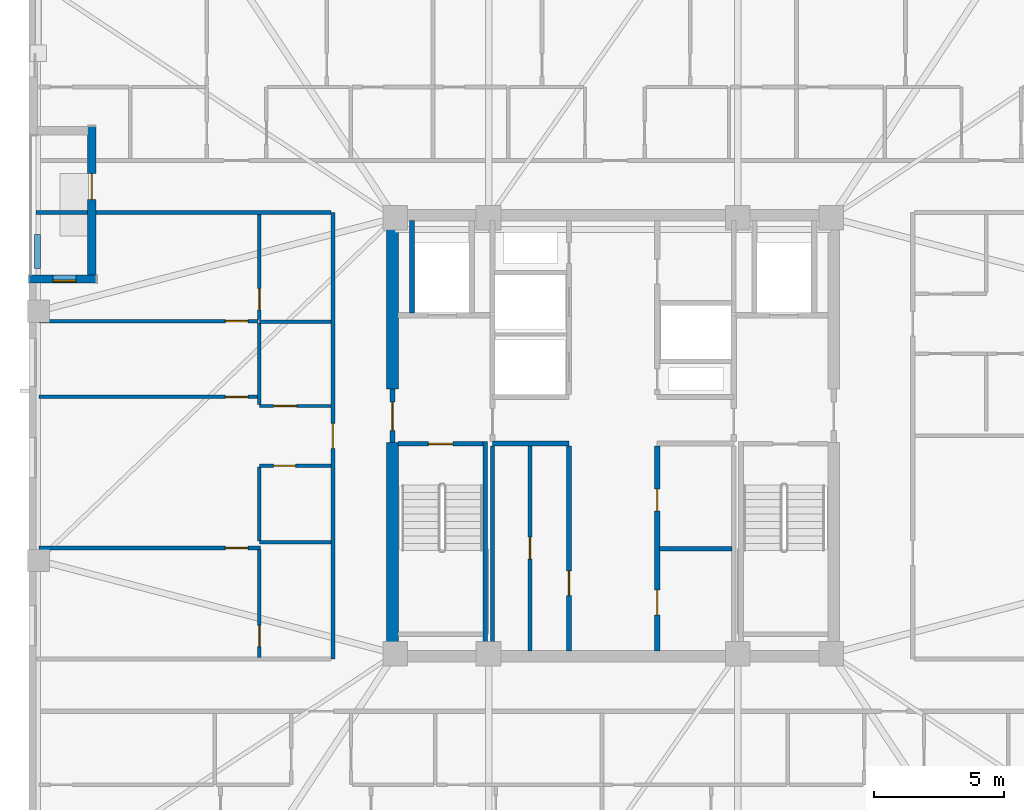
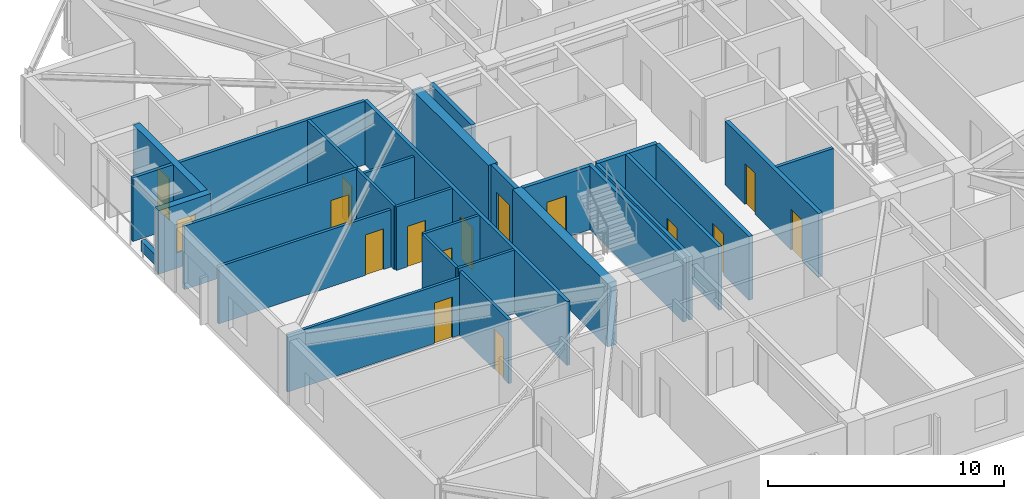
# One storey, part 8 of 17: 28 walls, 15 doors, 1 window, 16 openings.
"""IFC4 building model written with IfcOpenShell, lengths in metres."""

import ifcopenshell
import ifcopenshell.guid

model = None  # the IFC model being written
_history = None  # IfcOwnerHistory: only IFC2X3 demands one
_inside = {}  # id of a spatial element -> (the spatial element, [elements in it])
_under = {}  # id of a project, library or spatial element -> (it, [spatial elements below it])
_declared = {}  # id of a project -> (the project, [libraries it declares])
_typed = {}  # id of a type object -> (the type object, [elements of that type])
_made_of = {}  # id of a material, layer set ... -> (it, [elements and type objects made of it])


def new_model(schema):
    """Start an empty IFC model of exactly this schema.

    Asked for "IFC4X3", IfcOpenShell would pick the latest addendum, in which some entities
    have other attributes; the version numbers below select the first issue.
    IFC2X3 requires an IfcOwnerHistory on every rooted entity: one is made here for all.
    """
    global model, _history
    if schema == "IFC4X3":
        model = ifcopenshell.file(schema_version=(4, 3, 0, 0))
    else:
        model = ifcopenshell.file(schema=schema)
    _inside.clear()
    _under.clear()
    _declared.clear()
    _typed.clear()
    _made_of.clear()
    _history = None
    if model.schema == "IFC2X3":
        org = make("IfcOrganization", Name="unknown")
        user = make(
            "IfcPersonAndOrganization",
            ThePerson=make("IfcPerson", FamilyName="unknown"),
            TheOrganization=org,
        )
        app = make(
            "IfcApplication",
            ApplicationDeveloper=org,
            Version="unknown",
            ApplicationFullName="unknown",
            ApplicationIdentifier="unknown",
        )
        _history = make(
            "IfcOwnerHistory",
            OwningUser=user,
            OwningApplication=app,
            ChangeAction="ADDED",
            CreationDate=0,
        )
    return model


def make(cls, **values):
    """One entity of the class cls with the attributes given. An attribute that is None is left unset."""
    return model.create_entity(
        cls, **{name: value for name, value in values.items() if value is not None}
    )


def rooted(cls, **values):
    """An entity with a GlobalId (a new one), such as an element, a storey or a relation."""
    return make(cls, GlobalId=ifcopenshell.guid.new(), OwnerHistory=_history, **values)


def si_unit(unit_type, name, prefix=None):
    """IfcSIUnit, for example si_unit("LENGTHUNIT", "METRE", prefix="MILLI")."""
    return make("IfcSIUnit", UnitType=unit_type, Prefix=prefix, Name=name)


def assignment(units):
    """IfcUnitAssignment: the units of a project."""
    return None if units is None else make("IfcUnitAssignment", Units=units)


def point(xyz):
    """IfcCartesianPoint."""
    return None if xyz is None else make("IfcCartesianPoint", Coordinates=xyz)


def direction(xyz):
    """IfcDirection."""
    return None if xyz is None else make("IfcDirection", DirectionRatios=xyz)


def frame(location, z_axis=None, x_axis=None):
    """IfcAxis2Placement3D, a coordinate frame: its origin and axes. An axis left out is left unset."""
    return make(
        "IfcAxis2Placement3D",
        Location=point(location),
        Axis=direction(z_axis),
        RefDirection=direction(x_axis),
    )


def frame_2d(location, x_axis=None):
    """IfcAxis2Placement2D, a coordinate frame in the plane: its origin and x axis."""
    return make(
        "IfcAxis2Placement2D", Location=point(location), RefDirection=direction(x_axis)
    )


def origin():
    """The frame at (0, 0, 0) with its axes left unset."""
    return frame((0.0, 0.0, 0.0))


def place(relative_to, where):
    """IfcLocalPlacement: puts the frame where relative to a parent placement (None: the world)."""
    return make(
        "IfcLocalPlacement", PlacementRelTo=relative_to, RelativePlacement=where
    )


def context(
    kind, dimensions, precision=None, world=None, true_north=None, identifier=None
):
    """IfcGeometricRepresentationContext, for example the 3D "Model" context."""
    return make(
        "IfcGeometricRepresentationContext",
        ContextIdentifier=identifier,
        ContextType=kind,
        CoordinateSpaceDimension=dimensions,
        Precision=precision,
        WorldCoordinateSystem=world,
        TrueNorth=true_north,
    )


def subcontext(parent, identifier, kind, view, scale=None):
    """IfcGeometricRepresentationSubContext, for example "Body" below "Model"."""
    return make(
        "IfcGeometricRepresentationSubContext",
        ContextIdentifier=identifier,
        ContextType=kind,
        ParentContext=parent,
        TargetScale=scale,
        TargetView=view,
    )


def project(units=None, contexts=None):
    """IfcProject with its units and contexts."""
    return rooted(
        "IfcProject",
        Name="project",
        RepresentationContexts=contexts,
        UnitsInContext=assignment(units),
    )


def spatial(cls, under=None, at=None, **own):
    """A site, building, storey or space (cls), placed at a placement, below another one or the project."""
    s = rooted(cls, ObjectPlacement=at, **own)
    if under is not None:
        _under.setdefault(under.id(), (under, []))[1].append(s)
    return s


def profile(cls, at=None, kind="AREA", **sizes):
    """A parametric profile (cls). Its sizes go by their IFC names, for example OverallWidth=200.0."""
    return make(cls, ProfileType=kind, Position=at, **sizes)


def rectangle(**sizes):
    """IfcRectangleProfileDef."""
    return profile("IfcRectangleProfileDef", **sizes)


def extrude(swept, where, along, depth):
    """IfcExtrudedAreaSolid: the profile swept, set in the frame where, extruded along a direction by depth."""
    return make(
        "IfcExtrudedAreaSolid",
        SweptArea=swept,
        Position=where,
        ExtrudedDirection=direction(along),
        Depth=depth,
    )


def shape(context_of_items, identifier, shape_type, items):
    """IfcShapeRepresentation: the items that make up one representation, for example the "Body"."""
    return make(
        "IfcShapeRepresentation",
        ContextOfItems=context_of_items,
        RepresentationIdentifier=identifier,
        RepresentationType=shape_type,
        Items=items,
    )


def material(Name=None, Category=None):
    """IfcMaterial."""
    return make("IfcMaterial", Name=Name, Category=Category)


def layer(
    of_material, thickness, ventilated=None, Name=None, Category=None, Priority=None
):
    """IfcMaterialLayer: one layer of a wall or slab, of a material (None: an air gap)."""
    return make(
        "IfcMaterialLayer",
        Material=of_material,
        LayerThickness=thickness,
        IsVentilated=ventilated,
        Name=Name,
        Category=Category,
        Priority=Priority,
    )


def layer_set(layers, Name=None):
    """IfcMaterialLayerSet."""
    return make("IfcMaterialLayerSet", MaterialLayers=layers, LayerSetName=Name)


def made_of(thing, what):
    """Note that an element or type object is made of a material, layer set ...; save() writes the relation."""
    if what is not None:
        _made_of.setdefault(what.id(), (what, []))[1].append(thing)
    return thing


def type_object(cls, material=None, **own):
    """A type object (cls), such as IfcWallType, which elements share."""
    return made_of(rooted(cls, **own), material)


def element(
    cls,
    number,
    at=None,
    inside=None,
    cuts=None,
    type_object=None,
    material=None,
    context=None,
    identifier="Body",
    shape_type=None,
    held_by="IfcProductDefinitionShape",
    body=None,
    shapes=None,
    **own,
):
    """One element of the class cls, such as IfcWall. Its Tag is "e" and its number.

    at: its placement. inside: the storey or other place that contains it. cuts: it is an
    opening in that element (IfcRelVoidsElement). A single representation is given by context,
    identifier, shape_type and body (its items); several are given by shapes. held_by: the class
    of the entity that holds the representations. save() writes the other relations.
    """
    e = rooted(cls, Tag="e%d" % number, ObjectPlacement=at, **own)
    if body is not None:
        shapes = [shape(context, identifier, shape_type, body)]
    if shapes is not None:
        e.Representation = make(held_by, Representations=shapes)
    if inside is not None:
        _inside.setdefault(inside.id(), (inside, []))[1].append(e)
    if cuts is not None:
        rooted(
            "IfcRelVoidsElement", RelatingBuildingElement=cuts, RelatedOpeningElement=e
        )
    if type_object is not None:
        _typed.setdefault(type_object.id(), (type_object, []))[1].append(e)
    return made_of(e, material)


def fill(opening, filler):
    """IfcRelFillsElement: the door or window that sits in an opening."""
    return rooted(
        "IfcRelFillsElement",
        RelatingOpeningElement=opening,
        RelatedBuildingElement=filler,
    )


def aggregate(whole, parts):
    """IfcRelAggregates: a whole, such as a stair, and the parts it consists of."""
    return rooted("IfcRelAggregates", RelatingObject=whole, RelatedObjects=parts)


def save(model, path):
    """Write the relations noted so far, then the file.

    IfcRelAggregates (storeys below a building ...), IfcRelContainedInSpatialStructure (elements
    in a storey), IfcRelDefinesByType, IfcRelAssociatesMaterial and IfcRelDeclares: one each for
    every whole, place, type object, material and project.
    """
    for whole, parts in _under.values():
        aggregate(whole, parts)
    for where, things in _inside.values():
        rooted(
            "IfcRelContainedInSpatialStructure",
            RelatedElements=things,
            RelatingStructure=where,
        )
    for kind, things in _typed.values():
        rooted("IfcRelDefinesByType", RelatedObjects=things, RelatingType=kind)
    for what, things in _made_of.values():
        rooted("IfcRelAssociatesMaterial", RelatedObjects=things, RelatingMaterial=what)
    for by, libraries in _declared.values():
        rooted("IfcRelDeclares", RelatingContext=by, RelatedDefinitions=libraries)
    model.write(path)


model = new_model("IFC4")

# Units and contexts
model_context = context("Model", 3, precision=1e-05, world=origin(), true_north=direction((0.0, 1.0)))
body_context = subcontext(model_context, "Body", "Model", "MODEL_VIEW")
ifc_project = project(units=[si_unit("LENGTHUNIT", "METRE"), si_unit("AREAUNIT", "SQUARE_METRE"), si_unit("VOLUMEUNIT", "CUBIC_METRE"), si_unit("PLANEANGLEUNIT", "RADIAN"), si_unit("MASSUNIT", "GRAM", prefix="KILO")], contexts=[model_context])

# Site, building, storey
site_placement = place(None, origin())
site = spatial("IfcSite", under=ifc_project, at=site_placement, CompositionType="ELEMENT")
building_placement = place(site_placement, origin())
building = spatial("IfcBuilding", under=site, at=building_placement, Name="Cairnveth Concourse Tower", CompositionType="ELEMENT")
storey_placement = place(building_placement, frame((0.0, 0.0, 230.5)))
storey = spatial("IfcBuildingStorey", under=building, at=storey_placement, Name="L63", CompositionType="ELEMENT", Elevation=230.5)

# Wall
ifc_material_1 = material(Name="Gypsum Plasterboard Partition", Category="gypsum")
ifc_layer_1 = layer(ifc_material_1, 0.159912109375)
ifc_layer_set_1 = layer_set([ifc_layer_1], Name="Gypsum Plasterboard Partition")
wall_type_1 = type_object("IfcWallType", Name="ACOUSTIC PARTY WALL 180", PredefinedType="PARTITIONING", material=ifc_layer_set_1)
wall_1_placement = place(storey_placement, frame((47.35009765625, 30.7099609375, 0.0), z_axis=(0.0, 0.0, 1.0), x_axis=(0.0, 1.0, 0.0)))
element("IfcWall", 1, at=wall_1_placement, inside=storey, type_object=wall_type_1, Name="Interior Wall IW-L63-025", PredefinedType="PARTITIONING", context=body_context, shape_type="SweptSolid", body=[
    extrude(rectangle(XDim=7.905029296875, YDim=0.159912109375, at=frame_2d((3.95263671875, 0.0))), origin(), (0.0, 0.0, 1.0), 3.2900390625),
])

# Wall, opening, door
wall_2_placement = place(storey_placement, frame((48.800048828125, 30.7099609375, 0.0), z_axis=(0.0, 0.0, 1.0), x_axis=(0.0, 1.0, 0.0)))
wall_2 = element("IfcWall", 2, at=wall_2_placement, inside=storey, type_object=wall_type_1, Name="Interior Wall IW-L63-026", PredefinedType="PARTITIONING", context=body_context, shape_type="SweptSolid", body=[
    extrude(rectangle(XDim=7.905029296875, YDim=0.159912109375, at=frame_2d((3.95263671875, 0.0))), origin(), (0.0, 0.0, 1.0), 3.2900390625),
])
opening_1_placement = place(wall_2_placement, frame((3.5400390625, 0.0, 0.0)))
opening_1 = element("IfcOpeningElement", 3, at=opening_1_placement, cuts=wall_2, Name="Opening ID19", PredefinedType="OPENING", context=body_context, shape_type="SweptSolid", body=[
    extrude(rectangle(XDim=0.85009765625, YDim=2.1201171875, at=frame_2d((0.425048828125, 1.06005859375))), frame((0.0, 0.08984375, 0.0), z_axis=(0.0, -1.0, 0.0), x_axis=(1.0, 0.0, 0.0)), (0.0, 0.0, 1.0), 0.179931640625),
])
ifc_material_2 = material(Name="Steel Grade 350", Category="steel")
door_type_1 = type_object("IfcDoorType", Name="CORE SERVICE DOOR 850X2100", OperationType="NOTDEFINED", PredefinedType="DOOR", material=ifc_material_2)
door_1_placement = place(opening_1_placement, origin())
door_1 = element("IfcDoor", 4, at=door_1_placement, inside=storey, type_object=door_type_1, Name="Inner Store Door L63", OperationType="SINGLE_SWING_RIGHT", OverallHeight=2.1201171875, OverallWidth=0.85009765625, PredefinedType="DOOR", context=body_context, shape_type="SweptSolid", body=[
    extrude(rectangle(XDim=0.85009765625, YDim=2.1201171875, at=frame_2d((0.425048828125, 1.06005859375))), frame((0.0, 0.02490234375, 0.0), z_axis=(0.0, -1.0, 0.0), x_axis=(1.0, 0.0, 0.0)), (0.0, 0.0, 1.0), 0.050048828125),
])
fill(opening_1, door_1)

# Wall
wall_3_placement = place(storey_placement, frame((53.784912109375, 34.64990234375, 0.0), z_axis=(0.0, 0.0, 1.0), x_axis=(1.0, 0.0, 0.0)))
element("IfcWall", 5, at=wall_3_placement, inside=storey, type_object=wall_type_1, Name="Interior Wall IW-L63-028", PredefinedType="PARTITIONING", context=body_context, shape_type="SweptSolid", body=[
    extrude(rectangle(XDim=2.800048828125, YDim=0.159912109375, at=frame_2d((1.39990234375, 0.0))), origin(), (0.0, 0.0, 1.0), 3.2900390625),
])

# Wall, opening, door
wall_4_placement = place(storey_placement, frame((41.199951171875, 30.39990234375, 0.0), z_axis=(0.0, 0.0, 1.0), x_axis=(0.0, 1.0, 0.0)))
wall_4 = element("IfcWall", 6, at=wall_4_placement, inside=storey, type_object=wall_type_1, Name="Interior Wall IW-L63-037", PredefinedType="PARTITIONING", context=body_context, shape_type="SweptSolid", body=[
    extrude(rectangle(XDim=17.2001953125, YDim=0.159912109375, at=frame_2d((8.60009765625, 0.0))), origin(), (0.0, 0.0, 1.0), 3.2900390625),
])
opening_2_placement = place(wall_4_placement, frame((8.1201171875, 0.0, 0.0)))
opening_2 = element("IfcOpeningElement", 7, at=opening_2_placement, cuts=wall_4, Name="Opening ID10", PredefinedType="OPENING", context=body_context, shape_type="SweptSolid", body=[
    extrude(rectangle(XDim=0.9599609375, YDim=2.179931640625, at=frame_2d((0.47998046875, 1.08984375))), frame((0.0, 0.08984375, 0.0), z_axis=(0.0, -1.0, 0.0), x_axis=(1.0, 0.0, 0.0)), (0.0, 0.0, 1.0), 0.179931640625),
])
ifc_material_3 = material(Name="Solid Core Hardwood Timber Leaf", Category="wood")
door_type_2 = type_object("IfcDoorType", Name="FLAT ENTRANCE DOOR 960X2150", OperationType="NOTDEFINED", PredefinedType="DOOR", material=ifc_material_3)
door_2_placement = place(opening_2_placement, origin())
door_2 = element("IfcDoor", 8, at=door_2_placement, inside=storey, type_object=door_type_2, Name="Apartment L63W1 Entrance Door", OperationType="SINGLE_SWING_RIGHT", OverallHeight=2.179931640625, OverallWidth=0.9599609375, PredefinedType="DOOR", context=body_context, shape_type="SweptSolid", body=[
    extrude(rectangle(XDim=0.9599609375, YDim=2.179931640625, at=frame_2d((0.47998046875, 1.08984375))), frame((0.0, 0.02490234375, 0.0), z_axis=(0.0, -1.0, 0.0), x_axis=(1.0, 0.0, 0.0)), (0.0, 0.0, 1.0), 0.050048828125),
])
fill(opening_2, door_2)

# Walls
wall_5_placement = place(storey_placement, frame((29.77001953125, 47.60009765625, 0.0), z_axis=(0.0, 0.0, 1.0), x_axis=(1.0, 0.0, 0.0)))
element("IfcWall", 9, at=wall_5_placement, inside=storey, type_object=wall_type_1, Name="Interior Wall IW-L63-040", PredefinedType="PARTITIONING", context=body_context, shape_type="SweptSolid", body=[
    extrude(rectangle(XDim=11.364990234375, YDim=0.159912109375, at=frame_2d((5.6826171875, 0.0))), origin(), (0.0, 0.0, 1.0), 3.2900390625),
])
ifc_material_4 = material(Name="Concrete N65 (65 MPa)", Category="concrete")
ifc_layer_2 = layer(ifc_material_4, 0.449951171875)
ifc_layer_set_2 = layer_set([ifc_layer_2], Name="Concrete N65 (65 MPa)")
wall_type_2 = type_object("IfcWallType", Name="CORE SHEAR WALL 450", PredefinedType="SHEAR", material=ifc_layer_set_2)
wall_6_placement = place(storey_placement, frame((43.5, 30.715087890625, 0.0), z_axis=(0.0, 0.0, 1.0), x_axis=(0.0, 1.0, 0.0)))
element("IfcWall", 10, at=wall_6_placement, inside=storey, type_object=wall_type_2, Name="Core West Shear Wall S L63", PredefinedType="SHEAR", context=body_context, shape_type="SweptSolid", body=[
    extrude(rectangle(XDim=8.034912109375, YDim=0.449951171875, at=frame_2d((4.017578125, 0.0))), origin(), (0.0, 0.0, 1.0), 3.2900390625),
])
wall_7_placement = place(storey_placement, frame((43.5, 40.800048828125, 0.0), z_axis=(0.0, 0.0, 1.0), x_axis=(0.0, 1.0, 0.0)))
element("IfcWall", 11, at=wall_7_placement, inside=storey, type_object=wall_type_2, Name="Core West Shear Wall N L63", PredefinedType="SHEAR", context=body_context, shape_type="SweptSolid", body=[
    extrude(rectangle(XDim=6.48486328125, YDim=0.449951171875, at=frame_2d((3.242431640625, 0.0))), origin(), (0.0, 0.0, 1.0), 3.2900390625),
])

# Wall, opening, door
ifc_material_5 = material(Name="Concrete N50 (50 MPa)", Category="concrete")
ifc_layer_3 = layer(ifc_material_5, 0.179931640625)
ifc_layer_set_3 = layer_set([ifc_layer_3], Name="Concrete N50 (50 MPa)")
wall_type_3 = type_object("IfcWallType", Name="FIRE SHAFT WALL 180", PredefinedType="SOLIDWALL", material=ifc_layer_set_3)
wall_8_placement = place(storey_placement, frame((43.715087890625, 38.68994140625, 0.0), z_axis=(0.0, 0.0, 1.0), x_axis=(1.0, 0.0, 0.0)))
wall_8 = element("IfcWall", 12, at=wall_8_placement, inside=storey, type_object=wall_type_3, Name="Stair ST-1 Shaft Wall NEAR L63", PredefinedType="SOLIDWALL", context=body_context, shape_type="SweptSolid", body=[
    extrude(rectangle(XDim=3.280029296875, YDim=0.179931640625, at=frame_2d((1.64013671875, 0.0))), origin(), (0.0, 0.0, 1.0), 3.2900390625),
])
opening_3_placement = place(wall_8_placement, frame((1.1650390625, 0.0, 0.0)))
opening_3 = element("IfcOpeningElement", 13, at=opening_3_placement, cuts=wall_8, Name="Opening ID12", PredefinedType="OPENING", context=body_context, shape_type="SweptSolid", body=[
    extrude(rectangle(XDim=0.949951171875, YDim=2.14990234375, at=frame_2d((0.47509765625, 1.074951171875))), frame((0.0, 0.099853515625, 0.0), z_axis=(0.0, -1.0, 0.0), x_axis=(1.0, 0.0, 0.0)), (0.0, 0.0, 1.0), 0.199951171875),
])
door_type_3 = type_object("IfcDoorType", Name="FIRE STAIR DOOR 950X2150", OperationType="NOTDEFINED", PredefinedType="DOOR", material=ifc_material_2)
door_3_placement = place(opening_3_placement, origin())
door_3 = element("IfcDoor", 14, at=door_3_placement, inside=storey, type_object=door_type_3, Name="Stair ST-1 Fire Door L63", OperationType="SINGLE_SWING_LEFT", OverallHeight=2.14990234375, OverallWidth=0.949951171875, PredefinedType="DOOR", context=body_context, shape_type="SweptSolid", body=[
    extrude(rectangle(XDim=0.949951171875, YDim=2.14990234375, at=frame_2d((0.47509765625, 1.074951171875))), frame((0.0, 0.02490234375, 0.0), z_axis=(0.0, -1.0, 0.0), x_axis=(1.0, 0.0, 0.0)), (0.0, 0.0, 1.0), 0.050048828125),
])
fill(opening_3, door_3)

# Walls
wall_9_placement = place(storey_placement, frame((47.070068359375, 38.780029296875, 0.0), z_axis=(0.0, 0.0, 1.0), x_axis=(0.0, -1.0, 0.0)))
element("IfcWall", 15, at=wall_9_placement, inside=storey, type_object=wall_type_3, Name="Stair ST-1 Shaft Wall RGHT L63", PredefinedType="SOLIDWALL", context=body_context, shape_type="SweptSolid", body=[
    extrude(rectangle(XDim=8.067138671875, YDim=0.179931640625, at=frame_2d((4.03369140625, 0.0))), origin(), (0.0, 0.0, 1.0), 3.2900390625),
])
ifc_layer_4 = layer(ifc_material_5, 0.199951171875)
ifc_layer_set_4 = layer_set([ifc_layer_4], Name="Concrete N50 (50 MPa)")
wall_type_4 = type_object("IfcWallType", Name="FIRE SHAFT WALL 200", PredefinedType="SOLIDWALL", material=ifc_layer_set_4)
wall_10_placement = place(storey_placement, frame((47.35009765625, 38.699951171875, 0.0), z_axis=(0.0, 0.0, 1.0), x_axis=(1.0, 0.0, 0.0)))
element("IfcWall", 16, at=wall_10_placement, inside=storey, type_object=wall_type_4, Name="Interior Wall IW-L63-007", PredefinedType="SOLIDWALL", context=body_context, shape_type="SweptSolid", body=[
    extrude(rectangle(XDim=2.949951171875, YDim=0.199951171875, at=frame_2d((1.47509765625, 0.0))), origin(), (0.0, 0.0, 1.0), 3.2900390625),
])

# Wall, opening, door
wall_11_placement = place(storey_placement, frame((50.300048828125, 30.7099609375, 0.0), z_axis=(0.0, 0.0, 1.0), x_axis=(0.0, 1.0, 0.0)))
wall_11 = element("IfcWall", 17, at=wall_11_placement, inside=storey, type_object=wall_type_4, Name="Interior Wall IW-L63-011", PredefinedType="SOLIDWALL", context=body_context, shape_type="SweptSolid", body=[
    extrude(rectangle(XDim=7.905029296875, YDim=0.199951171875, at=frame_2d((3.95263671875, 0.0))), origin(), (0.0, 0.0, 1.0), 3.2900390625),
])
opening_4_placement = place(wall_11_placement, frame((2.139892578125, 0.0, 0.0)))
opening_4 = element("IfcOpeningElement", 18, at=opening_4_placement, cuts=wall_11, Name="Opening ID25", PredefinedType="OPENING", context=body_context, shape_type="SweptSolid", body=[
    extrude(rectangle(XDim=0.949951171875, YDim=2.1201171875, at=frame_2d((0.47509765625, 1.06005859375))), frame((0.0, 0.10986328125, 0.0), z_axis=(0.0, -1.0, 0.0), x_axis=(1.0, 0.0, 0.0)), (0.0, 0.0, 1.0), 0.219970703125),
])
door_type_4 = type_object("IfcDoorType", Name="CORE ACCESSIBLE FIRE DOOR 950X2120", OperationType="NOTDEFINED", PredefinedType="DOOR", material=ifc_material_2)
door_4_placement = place(opening_4_placement, origin())
door_4 = element("IfcDoor", 19, at=door_4_placement, inside=storey, type_object=door_type_4, Name="Accessible WC Suite Door L63", OperationType="SINGLE_SWING_LEFT", OverallHeight=2.1201171875, OverallWidth=0.949951171875, PredefinedType="DOOR", context=body_context, shape_type="SweptSolid", body=[
    extrude(rectangle(XDim=0.949951171875, YDim=2.1201171875, at=frame_2d((0.47509765625, 1.06005859375))), frame((0.0, 0.02490234375, 0.0), z_axis=(0.0, -1.0, 0.0), x_axis=(1.0, 0.0, 0.0)), (0.0, 0.0, 1.0), 0.050048828125),
])
fill(opening_4, door_4)

# Wall, openings, doors
wall_12_placement = place(storey_placement, frame((53.699951171875, 30.7099609375, 0.0), z_axis=(0.0, 0.0, 1.0), x_axis=(0.0, 1.0, 0.0)))
wall_12 = element("IfcWall", 20, at=wall_12_placement, inside=storey, type_object=wall_type_4, Name="Interior Wall IW-L63-012", PredefinedType="SOLIDWALL", context=body_context, shape_type="SweptSolid", body=[
    extrude(rectangle(XDim=7.905029296875, YDim=0.199951171875, at=frame_2d((3.95263671875, 0.0))), origin(), (0.0, 0.0, 1.0), 3.2900390625),
])
opening_5_placement = place(wall_12_placement, frame((1.389892578125, 0.0, 0.0)))
opening_5 = element("IfcOpeningElement", 21, at=opening_5_placement, cuts=wall_12, Name="Opening ID25", PredefinedType="OPENING", context=body_context, shape_type="SweptSolid", body=[
    extrude(rectangle(XDim=0.949951171875, YDim=2.1201171875, at=frame_2d((0.47509765625, 1.06005859375))), frame((0.0, 0.10986328125, 0.0), z_axis=(0.0, -1.0, 0.0), x_axis=(1.0, 0.0, 0.0)), (0.0, 0.0, 1.0), 0.219970703125),
])
opening_6_placement = place(wall_12_placement, frame((5.389892578125, 0.0, 0.0)))
opening_6 = element("IfcOpeningElement", 22, at=opening_6_placement, cuts=wall_12, Name="Opening ID19", PredefinedType="OPENING", context=body_context, shape_type="SweptSolid", body=[
    extrude(rectangle(XDim=0.85009765625, YDim=2.1201171875, at=frame_2d((0.425048828125, 1.06005859375))), frame((0.0, 0.10986328125, 0.0), z_axis=(0.0, -1.0, 0.0), x_axis=(1.0, 0.0, 0.0)), (0.0, 0.0, 1.0), 0.219970703125),
])
door_5_placement = place(opening_5_placement, origin())
door_5 = element("IfcDoor", 23, at=door_5_placement, inside=storey, type_object=door_type_4, Name="Sky WC Door L63", OperationType="SINGLE_SWING_LEFT", OverallHeight=2.1201171875, OverallWidth=0.949951171875, PredefinedType="DOOR", context=body_context, shape_type="SweptSolid", body=[
    extrude(rectangle(XDim=0.949951171875, YDim=2.1201171875, at=frame_2d((0.47509765625, 1.06005859375))), frame((0.0, 0.02490234375, 0.0), z_axis=(0.0, -1.0, 0.0), x_axis=(1.0, 0.0, 0.0)), (0.0, 0.0, 1.0), 0.050048828125),
])
fill(opening_5, door_5)
door_6_placement = place(opening_6_placement, origin())
door_6 = element("IfcDoor", 24, at=door_6_placement, inside=storey, type_object=door_type_1, Name="Janitor Door L63", OperationType="SINGLE_SWING_RIGHT", OverallHeight=2.1201171875, OverallWidth=0.85009765625, PredefinedType="DOOR", context=body_context, shape_type="SweptSolid", body=[
    extrude(rectangle(XDim=0.85009765625, YDim=2.1201171875, at=frame_2d((0.425048828125, 1.06005859375))), frame((0.0, 0.02490234375, 0.0), z_axis=(0.0, -1.0, 0.0), x_axis=(1.0, 0.0, 0.0)), (0.0, 0.0, 1.0), 0.050048828125),
])
fill(opening_6, door_6)

# Wall, opening, door
wall_13_placement = place(storey_placement, frame((43.5, 38.75, 0.0), z_axis=(0.0, 0.0, 1.0), x_axis=(0.0, 1.0, 0.0)))
wall_13 = element("IfcWall", 25, at=wall_13_placement, inside=storey, type_object=wall_type_4, Name="Interior Wall IW-L63-015", PredefinedType="SOLIDWALL", context=body_context, shape_type="SweptSolid", body=[
    extrude(rectangle(XDim=2.050048828125, YDim=0.199951171875, at=frame_2d((1.02490234375, 0.0))), origin(), (0.0, 0.0, 1.0), 3.2900390625),
])
opening_7_placement = place(wall_13_placement, frame((0.449951171875, 0.0, 0.0)))
opening_7 = element("IfcOpeningElement", 26, at=opening_7_placement, cuts=wall_13, Name="Opening ID06", PredefinedType="OPENING", context=body_context, shape_type="SweptSolid", body=[
    extrude(rectangle(XDim=1.10009765625, YDim=2.14990234375, at=frame_2d((0.550048828125, 1.074951171875))), frame((0.0, 0.10986328125, 0.0), z_axis=(0.0, -1.0, 0.0), x_axis=(1.0, 0.0, 0.0)), (0.0, 0.0, 1.0), 0.219970703125),
])
door_type_5 = type_object("IfcDoorType", Name="FIRE CORRIDOR DOOR 1100X2150", OperationType="NOTDEFINED", PredefinedType="DOOR", material=ifc_material_2)
door_7_placement = place(opening_7_placement, origin())
door_7 = element("IfcDoor", 27, at=door_7_placement, inside=storey, type_object=door_type_5, Name="West Wing to FF Lobby Door L63", OperationType="SINGLE_SWING_LEFT", OverallHeight=2.14990234375, OverallWidth=1.10009765625, PredefinedType="DOOR", context=body_context, shape_type="SweptSolid", body=[
    extrude(rectangle(XDim=1.10009765625, YDim=2.14990234375, at=frame_2d((0.550048828125, 1.074951171875))), frame((0.0, 0.02490234375, 0.0), z_axis=(0.0, -1.0, 0.0), x_axis=(1.0, 0.0, 0.0)), (0.0, 0.0, 1.0), 0.050048828125),
])
fill(opening_7, door_7)

# Wall
wall_14_placement = place(storey_placement, frame((44.25, 43.735107421875, 0.0), z_axis=(0.0, 0.0, 1.0), x_axis=(0.0, 1.0, 0.0)))
element("IfcWall", 28, at=wall_14_placement, inside=storey, type_object=wall_type_4, Name="Interior Wall IW-L63-019", PredefinedType="SOLIDWALL", context=body_context, shape_type="SweptSolid", body=[
    extrude(rectangle(XDim=3.554931640625, YDim=0.199951171875, at=frame_2d((1.77734375, 0.0))), origin(), (0.0, 0.0, 1.0), 3.2900390625),
])

# Wall, opening, door
ifc_layer_5 = layer(ifc_material_1, 0.139892578125)
ifc_layer_set_5 = layer_set([ifc_layer_5], Name="Gypsum Plasterboard Partition")
wall_type_5 = type_object("IfcWallType", Name="GYPSUM STUD PARTITION 140", PredefinedType="PARTITIONING", material=ifc_layer_set_5)
wall_15_placement = place(storey_placement, frame((29.8798828125, 34.679931640625, 0.0), z_axis=(0.0, 0.0, 1.0), x_axis=(1.0, 0.0, 0.0)))
wall_15 = element("IfcWall", 29, at=wall_15_placement, inside=storey, type_object=wall_type_5, Name="Interior Wall IW-L63-104", PredefinedType="PARTITIONING", context=body_context, shape_type="SweptSolid", body=[
    extrude(rectangle(XDim=8.530029296875, YDim=0.139892578125, at=frame_2d((4.26513671875, 0.0))), origin(), (0.0, 0.0, 1.0), 2.9580078125),
])
opening_8_placement = place(wall_15_placement, frame((7.179931640625, 0.0, 0.0)))
opening_8 = element("IfcOpeningElement", 30, at=opening_8_placement, cuts=wall_15, Name="Opening ID18", PredefinedType="OPENING", context=body_context, shape_type="SweptSolid", body=[
    extrude(rectangle(XDim=0.8798828125, YDim=2.10009765625, at=frame_2d((0.43994140625, 1.050048828125))), frame((0.0, 0.079833984375, 0.0), z_axis=(0.0, -1.0, 0.0), x_axis=(1.0, 0.0, 0.0)), (0.0, 0.0, 1.0), 0.159912109375),
])
door_type_6 = type_object("IfcDoorType", Name="INTERIOR SINGLE DOOR 880X2100", OperationType="NOTDEFINED", PredefinedType="DOOR", material=ifc_material_3)
door_8_placement = place(opening_8_placement, origin())
door_8 = element("IfcDoor", 31, at=door_8_placement, inside=storey, type_object=door_type_6, Name="L63W1 Master Bedroom Door", OperationType="SINGLE_SWING_RIGHT", OverallHeight=2.10009765625, OverallWidth=0.8798828125, PredefinedType="DOOR", context=body_context, shape_type="SweptSolid", body=[
    extrude(rectangle(XDim=0.8798828125, YDim=2.10009765625, at=frame_2d((0.43994140625, 1.050048828125))), frame((0.0, 0.02490234375, 0.0), z_axis=(0.0, -1.0, 0.0), x_axis=(1.0, 0.0, 0.0)), (0.0, 0.0, 1.0), 0.050048828125),
])
fill(opening_8, door_8)

wall_16_placement = place(storey_placement, frame((38.3701171875, 30.465087890625, 0.0), z_axis=(0.0, 0.0, 1.0), x_axis=(0.0, 1.0, 0.0)))
wall_16 = element("IfcWall", 32, at=wall_16_placement, inside=storey, type_object=wall_type_5, Name="Interior Wall IW-L63-105", PredefinedType="PARTITIONING", context=body_context, shape_type="SweptSolid", body=[
    extrude(rectangle(XDim=4.159912109375, YDim=0.139892578125, at=frame_2d((2.080078125, 0.0))), origin(), (0.0, 0.0, 1.0), 3.2900390625),
])
opening_9_placement = place(wall_16_placement, frame((0.4150390625, 0.0, 0.0)))
opening_9 = element("IfcOpeningElement", 33, at=opening_9_placement, cuts=wall_16, Name="Opening ID22", PredefinedType="OPENING", context=body_context, shape_type="SweptSolid", body=[
    extrude(rectangle(XDim=0.820068359375, YDim=2.10009765625, at=frame_2d((0.41015625, 1.050048828125))), frame((0.0, 0.079833984375, 0.0), z_axis=(0.0, -1.0, 0.0), x_axis=(1.0, 0.0, 0.0)), (0.0, 0.0, 1.0), 0.159912109375),
])
door_type_7 = type_object("IfcDoorType", Name="INTERIOR WC DOOR 820X2100", OperationType="NOTDEFINED", PredefinedType="DOOR", material=ifc_material_3)
door_9_placement = place(opening_9_placement, origin())
door_9 = element("IfcDoor", 34, at=door_9_placement, inside=storey, type_object=door_type_7, Name="L63W1 Dressing Door", OperationType="SINGLE_SWING_LEFT", OverallHeight=2.10009765625, OverallWidth=0.820068359375, PredefinedType="DOOR", context=body_context, shape_type="SweptSolid", body=[
    extrude(rectangle(XDim=0.820068359375, YDim=2.10009765625, at=frame_2d((0.41015625, 1.050048828125))), frame((0.0, 0.02490234375, 0.0), z_axis=(0.0, -1.0, 0.0), x_axis=(1.0, 0.0, 0.0)), (0.0, 0.0, 1.0), 0.050048828125),
])
fill(opening_9, door_9)

wall_17_placement = place(storey_placement, frame((29.8798828125, 43.419921875, 0.0), z_axis=(0.0, 0.0, 1.0), x_axis=(1.0, 0.0, 0.0)))
wall_17 = element("IfcWall", 35, at=wall_17_placement, inside=storey, type_object=wall_type_5, Name="Interior Wall IW-L63-106", PredefinedType="PARTITIONING", context=body_context, shape_type="SweptSolid", body=[
    extrude(rectangle(XDim=8.440185546875, YDim=0.139892578125, at=frame_2d((4.22021484375, 0.0))), origin(), (0.0, 0.0, 1.0), 3.2900390625),
])
opening_10_placement = place(wall_17_placement, frame((7.179931640625, 0.0, 0.0)))
opening_10 = element("IfcOpeningElement", 36, at=opening_10_placement, cuts=wall_17, Name="Opening ID18", PredefinedType="OPENING", context=body_context, shape_type="SweptSolid", body=[
    extrude(rectangle(XDim=0.8798828125, YDim=2.10009765625, at=frame_2d((0.43994140625, 1.050048828125))), frame((0.0, 0.079833984375, 0.0), z_axis=(0.0, -1.0, 0.0), x_axis=(1.0, 0.0, 0.0)), (0.0, 0.0, 1.0), 0.159912109375),
])
door_10_placement = place(opening_10_placement, origin())
door_10 = element("IfcDoor", 37, at=door_10_placement, inside=storey, type_object=door_type_6, Name="L63W1 Bedroom 2 Door", OperationType="SINGLE_SWING_RIGHT", OverallHeight=2.10009765625, OverallWidth=0.8798828125, PredefinedType="DOOR", context=body_context, shape_type="SweptSolid", body=[
    extrude(rectangle(XDim=0.8798828125, YDim=2.10009765625, at=frame_2d((0.43994140625, 1.050048828125))), frame((0.0, 0.02490234375, 0.0), z_axis=(0.0, -1.0, 0.0), x_axis=(1.0, 0.0, 0.0)), (0.0, 0.0, 1.0), 0.050048828125),
])
fill(opening_10, door_10)

wall_18_placement = place(storey_placement, frame((38.3701171875, 43.47509765625, 0.0), z_axis=(0.0, 0.0, 1.0), x_axis=(0.0, 1.0, 0.0)))
wall_18 = element("IfcWall", 38, at=wall_18_placement, inside=storey, type_object=wall_type_5, Name="Interior Wall IW-L63-107", PredefinedType="PARTITIONING", context=body_context, shape_type="SweptSolid", body=[
    extrude(rectangle(XDim=4.059814453125, YDim=0.139892578125, at=frame_2d((2.02978515625, 0.0))), origin(), (0.0, 0.0, 1.0), 3.2900390625),
])
opening_11_placement = place(wall_18_placement, frame((0.375, 0.0, 0.0)))
opening_11 = element("IfcOpeningElement", 39, at=opening_11_placement, cuts=wall_18, Name="Opening ID22", PredefinedType="OPENING", context=body_context, shape_type="SweptSolid", body=[
    extrude(rectangle(XDim=0.820068359375, YDim=2.10009765625, at=frame_2d((0.41015625, 1.050048828125))), frame((0.0, 0.079833984375, 0.0), z_axis=(0.0, -1.0, 0.0), x_axis=(1.0, 0.0, 0.0)), (0.0, 0.0, 1.0), 0.159912109375),
])
door_11_placement = place(opening_11_placement, origin())
door_11 = element("IfcDoor", 40, at=door_11_placement, inside=storey, type_object=door_type_7, Name="L63W1 Utility Door", OperationType="SINGLE_SWING_LEFT", OverallHeight=2.10009765625, OverallWidth=0.820068359375, PredefinedType="DOOR", context=body_context, shape_type="SweptSolid", body=[
    extrude(rectangle(XDim=0.820068359375, YDim=2.10009765625, at=frame_2d((0.41015625, 1.050048828125))), frame((0.0, 0.02490234375, 0.0), z_axis=(0.0, -1.0, 0.0), x_axis=(1.0, 0.0, 0.0)), (0.0, 0.0, 1.0), 0.050048828125),
])
fill(opening_11, door_11)

wall_19_placement = place(storey_placement, frame((29.8798828125, 40.5, 0.0), z_axis=(0.0, 0.0, 1.0), x_axis=(1.0, 0.0, 0.0)))
wall_19 = element("IfcWall", 41, at=wall_19_placement, inside=storey, type_object=wall_type_5, Name="Interior Wall IW-L63-108", PredefinedType="PARTITIONING", context=body_context, shape_type="SweptSolid", body=[
    extrude(rectangle(XDim=8.440185546875, YDim=0.139892578125, at=frame_2d((4.22021484375, 0.0))), origin(), (0.0, 0.0, 1.0), 2.9580078125),
])
opening_12_placement = place(wall_19_placement, frame((7.179931640625, 0.0, 0.0)))
opening_12 = element("IfcOpeningElement", 42, at=opening_12_placement, cuts=wall_19, Name="Opening ID18", PredefinedType="OPENING", context=body_context, shape_type="SweptSolid", body=[
    extrude(rectangle(XDim=0.8798828125, YDim=2.10009765625, at=frame_2d((0.43994140625, 1.050048828125))), frame((0.0, 0.079833984375, 0.0), z_axis=(0.0, -1.0, 0.0), x_axis=(1.0, 0.0, 0.0)), (0.0, 0.0, 1.0), 0.159912109375),
])
door_12_placement = place(opening_12_placement, origin())
door_12 = element("IfcDoor", 43, at=door_12_placement, inside=storey, type_object=door_type_6, Name="L63W1 Media Lounge Door", OperationType="SINGLE_SWING_LEFT", OverallHeight=2.10009765625, OverallWidth=0.8798828125, PredefinedType="DOOR", context=body_context, shape_type="SweptSolid", body=[
    extrude(rectangle(XDim=0.8798828125, YDim=2.10009765625, at=frame_2d((0.43994140625, 1.050048828125))), frame((0.0, 0.02490234375, 0.0), z_axis=(0.0, -1.0, 0.0), x_axis=(1.0, 0.0, 0.0)), (0.0, 0.0, 1.0), 0.050048828125),
])
fill(opening_12, door_12)

# Walls
ifc_material_6 = material(Name="Dressed Melbourne Bluestone Cladding", Category="masonry")
ifc_layer_6 = layer(ifc_material_6, 0.219970703125)
ifc_layer_set_6 = layer_set([ifc_layer_6], Name="Dressed Melbourne Bluestone Cladding")
wall_type_6 = type_object("IfcWallType", Name="TERRACE PLANTER CURB WALL 220", PredefinedType="PARAPET", material=ifc_layer_set_6)
wall_20_placement = place(storey_placement, frame((29.820068359375, 45.449951171875, 0.0), z_axis=(0.0, 0.0, 1.0), x_axis=(0.0, 1.0, 0.0)))
element("IfcWall", 44, at=wall_20_placement, inside=storey, type_object=wall_type_6, Name="Exterior Wall PLNT-L63-TERR", PredefinedType="PARAPET", context=body_context, shape_type="SweptSolid", body=[
    extrude(rectangle(XDim=1.300048828125, YDim=0.219970703125, at=frame_2d((0.64990234375, 0.0))), origin(), (0.0, 0.0, 1.0), 0.550048828125),
])
ifc_layer_7 = layer(ifc_material_1, 0.1298828125)
ifc_layer_set_7 = layer_set([ifc_layer_7], Name="Gypsum Plasterboard Partition")
wall_type_7 = type_object("IfcWallType", Name="WET AREA PARTITION 140", PredefinedType="PLUMBINGWALL", material=ifc_layer_set_7)
wall_21_placement = place(storey_placement, frame((38.3701171875, 34.89990234375, 0.0), z_axis=(0.0, 0.0, 1.0), x_axis=(1.0, 0.0, 0.0)))
element("IfcWall", 45, at=wall_21_placement, inside=storey, type_object=wall_type_7, Name="Interior Wall IW-L63-098", PredefinedType="PLUMBINGWALL", context=body_context, shape_type="SweptSolid", body=[
    extrude(rectangle(XDim=2.75, YDim=0.1298828125, at=frame_2d((1.375, 0.0))), origin(), (0.0, 0.0, 1.0), 3.2900390625),
])

# Wall, opening, door
wall_22_placement = place(storey_placement, frame((38.3701171875, 37.85009765625, 0.0), z_axis=(0.0, 0.0, 1.0), x_axis=(1.0, 0.0, 0.0)))
wall_22 = element("IfcWall", 46, at=wall_22_placement, inside=storey, type_object=wall_type_7, Name="Interior Wall IW-L63-099", PredefinedType="PLUMBINGWALL", context=body_context, shape_type="SweptSolid", body=[
    extrude(rectangle(XDim=2.75, YDim=0.1298828125, at=frame_2d((1.375, 0.0))), origin(), (0.0, 0.0, 1.0), 3.2900390625),
])
opening_13_placement = place(wall_22_placement, frame((0.550048828125, 0.0, 0.0)))
opening_13 = element("IfcOpeningElement", 47, at=opening_13_placement, cuts=wall_22, Name="Opening ID21", PredefinedType="OPENING", context=body_context, shape_type="SweptSolid", body=[
    extrude(rectangle(XDim=0.85009765625, YDim=2.080078125, at=frame_2d((0.425048828125, 1.0400390625))), frame((0.0, 0.074951171875, 0.0), z_axis=(0.0, -1.0, 0.0), x_axis=(1.0, 0.0, 0.0)), (0.0, 0.0, 1.0), 0.14990234375),
])
door_type_8 = type_object("IfcDoorType", Name="INTERIOR WC DOOR 850X2100", OperationType="NOTDEFINED", PredefinedType="DOOR", material=ifc_material_3)
door_13_placement = place(opening_13_placement, origin())
door_13 = element("IfcDoor", 48, at=door_13_placement, inside=storey, type_object=door_type_8, Name="L63W1 Bathroom Door", OperationType="SINGLE_SWING_LEFT", OverallHeight=2.080078125, OverallWidth=0.85009765625, PredefinedType="DOOR", context=body_context, shape_type="SweptSolid", body=[
    extrude(rectangle(XDim=0.85009765625, YDim=2.080078125, at=frame_2d((0.425048828125, 1.0400390625))), frame((0.0, 0.02490234375, 0.0), z_axis=(0.0, -1.0, 0.0), x_axis=(1.0, 0.0, 0.0)), (0.0, 0.0, 1.0), 0.050048828125),
])
fill(opening_13, door_13)

# Walls
wall_23_placement = place(storey_placement, frame((38.3701171875, 34.949951171875, 0.0), z_axis=(0.0, 0.0, 1.0), x_axis=(0.0, 1.0, 0.0)))
element("IfcWall", 49, at=wall_23_placement, inside=storey, type_object=wall_type_7, Name="Interior Wall IW-L63-100", PredefinedType="PLUMBINGWALL", context=body_context, shape_type="SweptSolid", body=[
    extrude(rectangle(XDim=2.85009765625, YDim=0.1298828125, at=frame_2d((1.425048828125, 0.0))), origin(), (0.0, 0.0, 1.0), 3.2900390625),
])
wall_24_placement = place(storey_placement, frame((38.3701171875, 43.39990234375, 0.0), z_axis=(0.0, 0.0, 1.0), x_axis=(1.0, 0.0, 0.0)))
element("IfcWall", 50, at=wall_24_placement, inside=storey, type_object=wall_type_7, Name="Interior Wall IW-L63-101", PredefinedType="PLUMBINGWALL", context=body_context, shape_type="SweptSolid", body=[
    extrude(rectangle(XDim=2.75, YDim=0.1298828125, at=frame_2d((1.375, 0.0))), origin(), (0.0, 0.0, 1.0), 2.9580078125),
])

# Wall, opening, door
wall_25_placement = place(storey_placement, frame((38.3701171875, 40.14990234375, 0.0), z_axis=(0.0, 0.0, 1.0), x_axis=(1.0, 0.0, 0.0)))
wall_25 = element("IfcWall", 51, at=wall_25_placement, inside=storey, type_object=wall_type_7, Name="Interior Wall IW-L63-102", PredefinedType="PLUMBINGWALL", context=body_context, shape_type="SweptSolid", body=[
    extrude(rectangle(XDim=2.75, YDim=0.1298828125, at=frame_2d((1.375, 0.0))), origin(), (0.0, 0.0, 1.0), 3.2900390625),
])
opening_14_placement = place(wall_25_placement, frame((0.550048828125, 0.0, 0.0)))
opening_14 = element("IfcOpeningElement", 52, at=opening_14_placement, cuts=wall_25, Name="Opening ID18", PredefinedType="OPENING", context=body_context, shape_type="SweptSolid", body=[
    extrude(rectangle(XDim=0.8798828125, YDim=2.10009765625, at=frame_2d((0.43994140625, 1.050048828125))), frame((0.0, 0.074951171875, 0.0), z_axis=(0.0, -1.0, 0.0), x_axis=(1.0, 0.0, 0.0)), (0.0, 0.0, 1.0), 0.14990234375),
])
door_14_placement = place(opening_14_placement, origin())
door_14 = element("IfcDoor", 53, at=door_14_placement, inside=storey, type_object=door_type_6, Name="L63W1 Kitchen Door", OperationType="SINGLE_SWING_RIGHT", OverallHeight=2.10009765625, OverallWidth=0.8798828125, PredefinedType="DOOR", context=body_context, shape_type="SweptSolid", body=[
    extrude(rectangle(XDim=0.8798828125, YDim=2.10009765625, at=frame_2d((0.43994140625, 1.050048828125))), frame((0.0, 0.02490234375, 0.0), z_axis=(0.0, -1.0, 0.0), x_axis=(1.0, 0.0, 0.0)), (0.0, 0.0, 1.0), 0.050048828125),
])
fill(opening_14, door_14)

# Wall
wall_26_placement = place(storey_placement, frame((38.3701171875, 40.199951171875, 0.0), z_axis=(0.0, 0.0, 1.0), x_axis=(0.0, 1.0, 0.0)))
element("IfcWall", 54, at=wall_26_placement, inside=storey, type_object=wall_type_7, Name="Interior Wall IW-L63-103", PredefinedType="PLUMBINGWALL", context=body_context, shape_type="SweptSolid", body=[
    extrude(rectangle(XDim=3.150146484375, YDim=0.1298828125, at=frame_2d((1.5751953125, 0.0))), origin(), (0.0, 0.0, 1.0), 3.2900390625),
])

# Wall, opening, window
ifc_material_7 = material(Name="Melbourne Buff Fired Clay Brick Masonry", Category="masonry")
ifc_layer_8 = layer(ifc_material_7, 0.320068359375)
ifc_layer_set_8 = layer_set([ifc_layer_8], Name="Melbourne Buff Fired Clay Brick Masonry")
wall_type_8 = type_object("IfcWallType", Name="ZONE 3 BRICK PIER SPANDREL WALL 320", PredefinedType="SOLIDWALL", material=ifc_layer_set_8)
wall_27_placement = place(storey_placement, frame((29.5, 45.0400390625, 0.0), z_axis=(0.0, 0.0, 1.0), x_axis=(1.0, 0.0, 0.0)))
wall_27 = element("IfcWall", 55, at=wall_27_placement, inside=storey, type_object=wall_type_8, Name="Exterior Wall EW-L63-S13", PredefinedType="SOLIDWALL", context=body_context, shape_type="SweptSolid", body=[
    extrude(rectangle(XDim=2.570068359375, YDim=0.320068359375, at=frame_2d((1.28515625, 0.0))), origin(), (0.0, 0.0, 1.0), 3.2900390625),
])
opening_15_placement = place(wall_27_placement, frame((0.909912109375, 0.0, 0.800048828125)))
opening_15 = element("IfcOpeningElement", 56, at=opening_15_placement, cuts=wall_27, Name="Opening W13", PredefinedType="OPENING", context=body_context, shape_type="SweptSolid", body=[
    extrude(rectangle(XDim=0.89990234375, YDim=1.677978515625, at=frame_2d((0.449951171875, 0.8388671875))), frame((0.0, 0.169921875, 0.0), z_axis=(0.0, -1.0, 0.0), x_axis=(1.0, 0.0, 0.0)), (0.0, 0.0, 1.0), 0.340087890625),
])
ifc_material_8 = material(Name="Double Glazed Low-E Clear Glass", Category="glass")
window_type = type_object("IfcWindowType", Name="DEEP-SET BEDROOM LANCET WINDOW 900X1750", PartitioningType="DOUBLE_PANEL_VERTICAL", PredefinedType="WINDOW", material=ifc_material_8)
window_placement = place(opening_15_placement, origin())
window = element("IfcWindow", 57, at=window_placement, inside=storey, type_object=window_type, Name="Dwelling Lancet Window L63-DW7", OverallHeight=1.677978515625, OverallWidth=0.89990234375, PartitioningType="SINGLE_PANEL", PredefinedType="WINDOW", context=body_context, shape_type="SweptSolid", body=[
    extrude(rectangle(XDim=0.89990234375, YDim=1.677978515625, at=frame_2d((0.449951171875, 0.8388671875))), frame((0.0, -0.0400390625, 0.0), z_axis=(0.0, -1.0, 0.0), x_axis=(1.0, 0.0, 0.0)), (0.0, 0.0, 1.0), 0.06005859375),
])
fill(opening_15, window)

# Wall, opening, door
wall_28_placement = place(storey_placement, frame((31.909912109375, 45.177978515625, 0.0), z_axis=(0.0, 0.0, 1.0), x_axis=(0.0, 1.0, 0.0)))
wall_28 = element("IfcWall", 58, at=wall_28_placement, inside=storey, type_object=wall_type_8, Name="Exterior Wall EW-L63-S14", PredefinedType="SOLIDWALL", context=body_context, shape_type="SweptSolid", body=[
    extrude(rectangle(XDim=5.741943359375, YDim=0.320068359375, at=frame_2d((2.87109375, 0.0))), origin(), (0.0, 0.0, 1.0), 3.2900390625),
])
opening_16_placement = place(wall_28_placement, frame((2.92822265625, 0.0, 0.0)))
opening_16 = element("IfcOpeningElement", 59, at=opening_16_placement, cuts=wall_28, Name="Opening ED4", PredefinedType="OPENING", context=body_context, shape_type="SweptSolid", body=[
    extrude(rectangle(XDim=1.0, YDim=2.14990234375, at=frame_2d((0.5, 1.074951171875))), frame((0.0, 0.169921875, 0.0), z_axis=(0.0, -1.0, 0.0), x_axis=(1.0, 0.0, 0.0)), (0.0, 0.0, 1.0), 0.340087890625),
])
ifc_material_9 = material(Name="Architectural Bronze Anodised Aluminium 6063-T6", Category="aluminium")
door_type_9 = type_object("IfcDoorType", Name="TERRACE GLAZED DOOR 1000X2150", OperationType="NOTDEFINED", PredefinedType="DOOR", material=ifc_material_9)
door_15_placement = place(opening_16_placement, origin())
door_15 = element("IfcDoor", 60, at=door_15_placement, inside=storey, type_object=door_type_9, Name="Spiral Terrace Door L63", OperationType="SINGLE_SWING_RIGHT", OverallHeight=2.14990234375, OverallWidth=1.0, PredefinedType="DOOR", context=body_context, shape_type="SweptSolid", body=[
    extrude(rectangle(XDim=1.0, YDim=2.14990234375, at=frame_2d((0.5, 1.074951171875))), frame((0.0, 0.02490234375, 0.0), z_axis=(0.0, -1.0, 0.0), x_axis=(1.0, 0.0, 0.0)), (0.0, 0.0, 1.0), 0.050048828125),
])
fill(opening_16, door_15)

save(model, "model.ifc")
